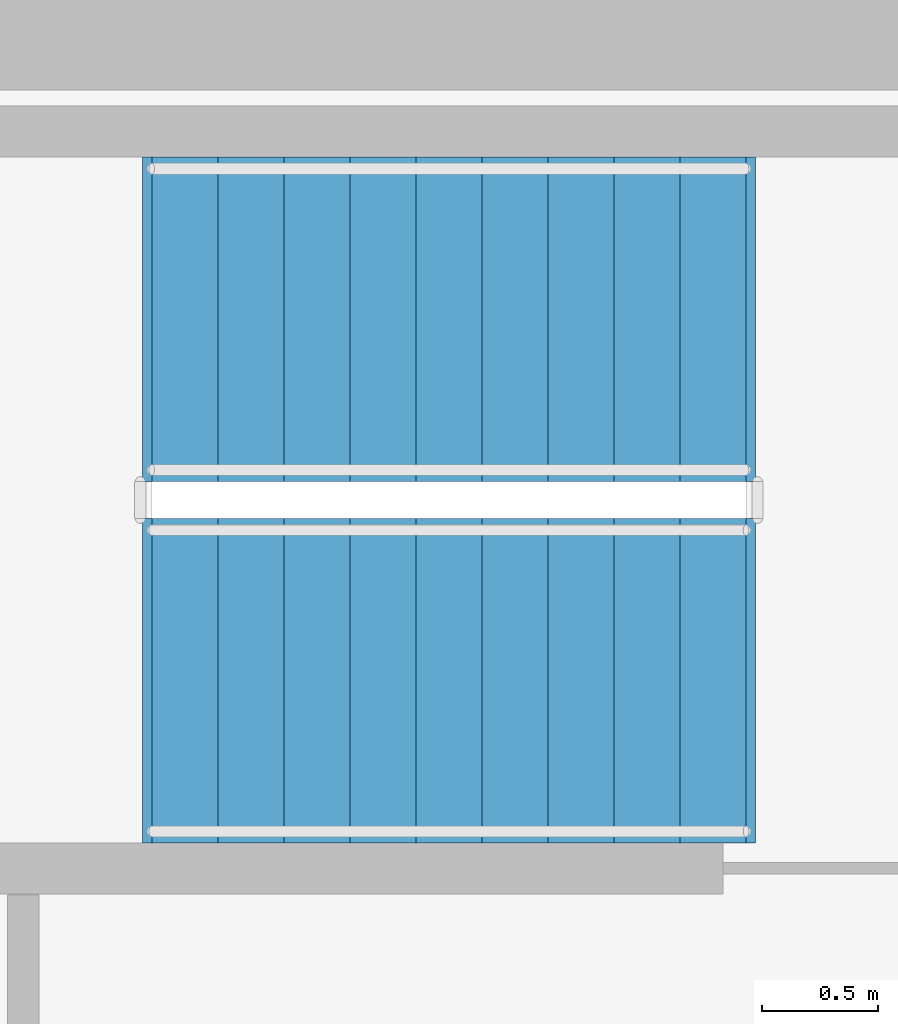
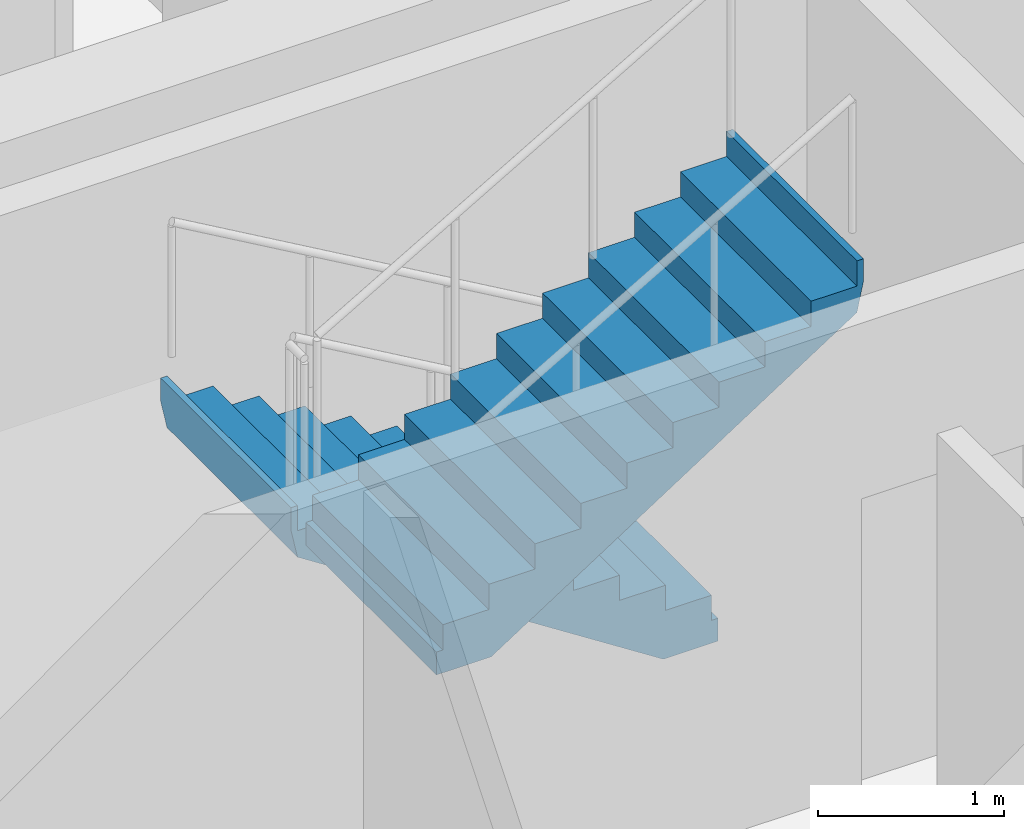
# One storey, part 12 of 13: 2 stair flights, 1 element without a shape of its own.
"""IFC4 building model written with IfcOpenShell, lengths in metres."""

from ifc_helpers import new_model, si_unit, direction, frame, origin, place, context, subcontext, project, spatial, polyline, outline, extrude, material, type_object, element, aggregate, save


model = new_model("IFC4")

# Units and contexts
model_context = context("Model", 3, precision=1e-05, world=origin(), true_north=direction((0.0, 1.0)))
body_context = subcontext(model_context, "Body", "Model", "MODEL_VIEW")
ifc_project = project(units=[si_unit("LENGTHUNIT", "METRE"), si_unit("AREAUNIT", "SQUARE_METRE"), si_unit("VOLUMEUNIT", "CUBIC_METRE"), si_unit("PLANEANGLEUNIT", "RADIAN"), si_unit("MASSUNIT", "GRAM", prefix="KILO")], contexts=[model_context])

# Site, building, storey
site_placement = place(None, origin())
site = spatial("IfcSite", under=ifc_project, at=site_placement, CompositionType="ELEMENT")
building_placement = place(site_placement, origin())
building = spatial("IfcBuilding", under=site, at=building_placement, Name="Durnholm Broadcast Tower", CompositionType="ELEMENT")
storey_placement = place(building_placement, frame((0.0, 0.0, 241.39990234375)))
storey = spatial("IfcBuildingStorey", under=building, at=storey_placement, Name="L67", CompositionType="ELEMENT", Elevation=241.39990234375)

# Stair, stair flights
ifc_material = material(Name="Concrete C50/60", Category="concrete")
stair_type = type_object("IfcStairType", Name="STAIR-DL-20R1650", PredefinedType="HALF_TURN_STAIR", material=ifc_material)
stair_placement = place(storey_placement, origin())
stair = element("IfcStair", 1, at=stair_placement, inside=storey, type_object=stair_type, Name="L67 ST-3", PredefinedType="HALF_TURN_STAIR")
stair_flight_type = type_object("IfcStairFlightType", Name="FLIGHT-DL-20R1650", PredefinedType="STRAIGHT", material=ifc_material)
stair_flight_1_placement = place(storey_placement, frame((0.699951171875, 6.860107421875, 0.0), z_axis=(0.0, 0.0, 1.0), x_axis=(-1.0, 0.0, 0.0)))
stair_flight_1 = element("IfcStairFlight", 2, at=stair_flight_1_placement, type_object=stair_flight_type, Name="ST-3 flight 1", NumberOfRisers=10, NumberOfTreads=9, PredefinedType="STRAIGHT", RiserHeight=0.165, TreadLength=0.285, context=body_context, shape_type="SweptSolid", body=[
    extrude(outline(polyline([(-0.0400390625, -0.14990234375), (-0.0400390625, 0.0), (0.0, 0.0), (0.0, 0.1650390625), (0.284912109375, 0.1650390625), (0.284912109375, 0.330078125), (0.570068359375, 0.330078125), (0.570068359375, 0.4951171875), (0.85498046875, 0.4951171875), (0.85498046875, 0.659912109375), (1.139892578125, 0.659912109375), (1.139892578125, 0.824951171875), (1.425048828125, 0.824951171875), (1.425048828125, 0.989990234375), (1.7099609375, 0.989990234375), (1.7099609375, 1.155029296875), (1.9951171875, 1.155029296875), (1.9951171875, 1.320068359375), (2.280029296875, 1.320068359375), (2.280029296875, 1.485107421875), (2.56494140625, 1.485107421875), (2.56494140625, 1.64990234375), (2.60498046875, 1.64990234375), (2.60498046875, 1.5), (2.56494140625, 1.311767578125), (0.299072265625, -0.14990234375), (-0.0400390625, -0.14990234375)])), frame((0.0, 0.699951171875, 0.0), z_axis=(0.0, -1.0, 0.0), x_axis=(1.0, 0.0, 0.0)), (0.0, 0.0, 1.0), 1.39990234375),
])
stair_flight_2_placement = place(storey_placement, frame((-1.864990234375, 5.300048828125, 1.650146484375), z_axis=(0.0, 0.0, 1.0), x_axis=(1.0, 0.0, 0.0)))
stair_flight_2 = element("IfcStairFlight", 3, at=stair_flight_2_placement, type_object=stair_flight_type, Name="ST-3 flight 2", NumberOfRisers=10, NumberOfTreads=9, PredefinedType="STRAIGHT", RiserHeight=0.165, TreadLength=0.285, context=body_context, shape_type="SweptSolid", body=[
    extrude(outline(polyline([(-0.0400390625, -0.14990234375), (-0.0400390625, 0.0), (0.0, 0.0), (0.0, 0.1650390625), (0.284912109375, 0.1650390625), (0.284912109375, 0.330078125), (0.570068359375, 0.330078125), (0.570068359375, 0.4951171875), (0.85498046875, 0.4951171875), (0.85498046875, 0.659912109375), (1.139892578125, 0.659912109375), (1.139892578125, 0.824951171875), (1.425048828125, 0.824951171875), (1.425048828125, 0.989990234375), (1.7099609375, 0.989990234375), (1.7099609375, 1.155029296875), (1.9951171875, 1.155029296875), (1.9951171875, 1.320068359375), (2.280029296875, 1.320068359375), (2.280029296875, 1.485107421875), (2.56494140625, 1.485107421875), (2.56494140625, 1.64990234375), (2.60498046875, 1.64990234375), (2.60498046875, 1.5), (2.56494140625, 1.311767578125), (0.299072265625, -0.14990234375), (-0.0400390625, -0.14990234375)])), frame((0.0, 0.699951171875, 0.0), z_axis=(0.0, -1.0, 0.0), x_axis=(1.0, 0.0, 0.0)), (0.0, 0.0, 1.0), 1.39990234375),
])
aggregate(stair, [stair_flight_1, stair_flight_2])

save(model, "model.ifc")
